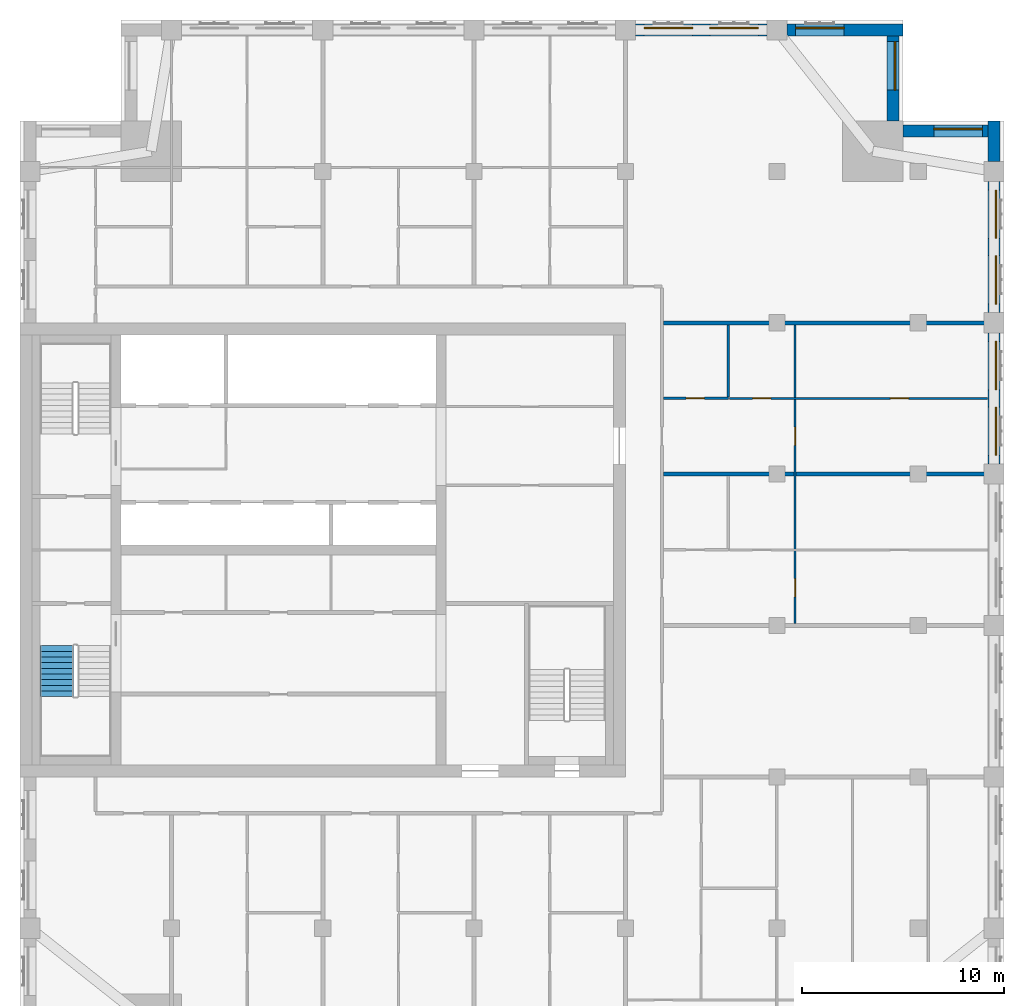
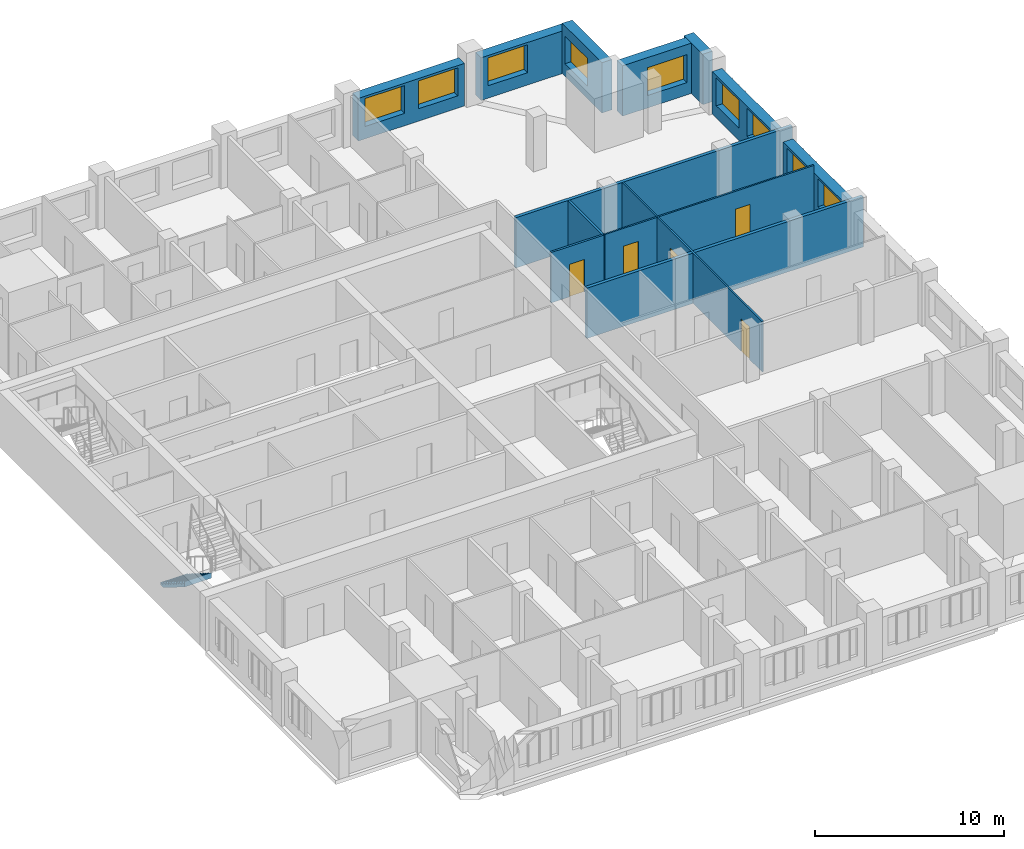
# One storey, part 8 of 11: 13 walls, 9 windows, 5 doors, 1 stair flight, 14 openings, 1 element without a shape of its own.
"""IFC4 building model written with IfcOpenShell, lengths in metres."""

from ifc_helpers import new_model, si_unit, direction, frame, frame_2d, origin, place, context, subcontext, project, spatial, polyline, rectangle, outline, extrude, material, layer, layer_set, type_object, element, fill, aggregate, save


model = new_model("IFC4")

# Units and contexts
model_context = context("Model", 3, precision=1e-05, world=origin(), true_north=direction((0.0, 1.0)))
body_context = subcontext(model_context, "Body", "Model", "MODEL_VIEW")
ifc_project = project(units=[si_unit("LENGTHUNIT", "METRE"), si_unit("AREAUNIT", "SQUARE_METRE"), si_unit("VOLUMEUNIT", "CUBIC_METRE"), si_unit("PLANEANGLEUNIT", "RADIAN"), si_unit("MASSUNIT", "GRAM", prefix="KILO")], contexts=[model_context])

# Site, building, storey
site_placement = place(None, origin())
site = spatial("IfcSite", under=ifc_project, at=site_placement, CompositionType="ELEMENT")
building_placement = place(site_placement, origin())
building = spatial("IfcBuilding", under=site, at=building_placement, Name="Tamorin Gate", CompositionType="ELEMENT")
storey_placement = place(building_placement, frame((0.0, 0.0, 226.699951171875)))
storey = spatial("IfcBuildingStorey", under=building, at=storey_placement, Name="L56", CompositionType="ELEMENT", Elevation=226.699951171875)

# Wall, openings, windows
ifc_material_1 = material(Name="Precast concrete C40/50", Category="concrete")
ifc_layer_1 = layer(ifc_material_1, 0.60009765625)
ifc_layer_set_1 = layer_set([ifc_layer_1], Name="Precast concrete C40/50")
wall_type_1 = type_object("IfcWallType", Name="Board-marked concrete facade panel 600", PredefinedType="SOLIDWALL", material=ifc_layer_set_1)
wall_1_placement = place(storey_placement, frame((78.25, 75.5, 0.0), z_axis=(0.0, 0.0, 1.0), x_axis=(0.0, 1.0, 0.0)))
wall_1 = element("IfcWall", 1, at=wall_1_placement, inside=storey, type_object=wall_type_1, Name="Facade panel", PredefinedType="SOLIDWALL", context=body_context, shape_type="SweptSolid", body=[
    extrude(rectangle(XDim=6.5, YDim=0.60009765625, at=frame_2d((3.25, 0.0))), origin(), (0.0, 0.0, 1.0), 2.75),
])
opening_1_placement = place(wall_1_placement, frame((0.425048828125, 0.0, 0.800048828125)))
opening_1 = element("IfcOpeningElement", 2, at=opening_1_placement, cuts=wall_1, Name="Opening WN1", PredefinedType="OPENING", context=body_context, shape_type="SweptSolid", body=[
    extrude(rectangle(XDim=2.39990234375, YDim=1.800048828125, at=frame_2d((1.199951171875, 0.89990234375))), frame((0.0, 0.31005859375, 0.0), z_axis=(0.0, -1.0, 0.0), x_axis=(1.0, 0.0, 0.0)), (0.0, 0.0, 1.0), 0.6201171875),
])
opening_2_placement = place(wall_1_placement, frame((3.675048828125, 0.0, 0.800048828125)))
opening_2 = element("IfcOpeningElement", 3, at=opening_2_placement, cuts=wall_1, Name="Opening WN1", PredefinedType="OPENING", context=body_context, shape_type="SweptSolid", body=[
    extrude(rectangle(XDim=2.39990234375, YDim=1.800048828125, at=frame_2d((1.199951171875, 0.89990234375))), frame((0.0, 0.31005859375, 0.0), z_axis=(0.0, -1.0, 0.0), x_axis=(1.0, 0.0, 0.0)), (0.0, 0.0, 1.0), 0.6201171875),
])
ifc_material_2 = material(Name="Clear glass in aluminium frame", Category="aluminium")
window_type = type_object("IfcWindowType", Name="Deep-set window 2400x1800", PartitioningType="SINGLE_PANEL", PredefinedType="WINDOW", material=ifc_material_2)
window_1_placement = place(opening_1_placement, origin())
window_1 = element("IfcWindow", 4, at=window_1_placement, inside=storey, type_object=window_type, Name="Deep-set window", OverallHeight=1.800048828125, OverallWidth=2.39990234375, PartitioningType="SINGLE_PANEL", PredefinedType="WINDOW", context=body_context, shape_type="SweptSolid", body=[
    extrude(rectangle(XDim=2.39990234375, YDim=1.800048828125, at=frame_2d((1.199951171875, 0.89990234375))), frame((0.0, -0.070068359375, 0.0), z_axis=(0.0, -1.0, 0.0), x_axis=(1.0, 0.0, 0.0)), (0.0, 0.0, 1.0), 0.06005859375),
])
fill(opening_1, window_1)
window_2_placement = place(opening_2_placement, origin())
window_2 = element("IfcWindow", 5, at=window_2_placement, inside=storey, type_object=window_type, Name="Deep-set window", OverallHeight=1.800048828125, OverallWidth=2.39990234375, PartitioningType="SINGLE_PANEL", PredefinedType="WINDOW", context=body_context, shape_type="SweptSolid", body=[
    extrude(rectangle(XDim=2.39990234375, YDim=1.800048828125, at=frame_2d((1.199951171875, 0.89990234375))), frame((0.0, -0.070068359375, 0.0), z_axis=(0.0, -1.0, 0.0), x_axis=(1.0, 0.0, 0.0)), (0.0, 0.0, 1.0), 0.06005859375),
])
fill(opening_2, window_2)

wall_2_placement = place(storey_placement, frame((78.25, 83.0, 0.0), z_axis=(0.0, 0.0, 1.0), x_axis=(0.0, 1.0, 0.0)))
wall_2 = element("IfcWall", 6, at=wall_2_placement, inside=storey, type_object=wall_type_1, Name="Facade panel", PredefinedType="SOLIDWALL", context=body_context, shape_type="SweptSolid", body=[
    extrude(rectangle(XDim=6.5, YDim=0.60009765625, at=frame_2d((3.25, 0.0))), origin(), (0.0, 0.0, 1.0), 2.75),
])
opening_3_placement = place(wall_2_placement, frame((0.425048828125, 0.0, 0.800048828125)))
opening_3 = element("IfcOpeningElement", 7, at=opening_3_placement, cuts=wall_2, Name="Opening WN1", PredefinedType="OPENING", context=body_context, shape_type="SweptSolid", body=[
    extrude(rectangle(XDim=2.39990234375, YDim=1.800048828125, at=frame_2d((1.199951171875, 0.89990234375))), frame((0.0, 0.31005859375, 0.0), z_axis=(0.0, -1.0, 0.0), x_axis=(1.0, 0.0, 0.0)), (0.0, 0.0, 1.0), 0.6201171875),
])
opening_4_placement = place(wall_2_placement, frame((3.675048828125, 0.0, 0.800048828125)))
opening_4 = element("IfcOpeningElement", 8, at=opening_4_placement, cuts=wall_2, Name="Opening WN1", PredefinedType="OPENING", context=body_context, shape_type="SweptSolid", body=[
    extrude(rectangle(XDim=2.39990234375, YDim=1.800048828125, at=frame_2d((1.199951171875, 0.89990234375))), frame((0.0, 0.31005859375, 0.0), z_axis=(0.0, -1.0, 0.0), x_axis=(1.0, 0.0, 0.0)), (0.0, 0.0, 1.0), 0.6201171875),
])
window_3_placement = place(opening_3_placement, origin())
window_3 = element("IfcWindow", 9, at=window_3_placement, inside=storey, type_object=window_type, Name="Deep-set window", OverallHeight=1.800048828125, OverallWidth=2.39990234375, PartitioningType="SINGLE_PANEL", PredefinedType="WINDOW", context=body_context, shape_type="SweptSolid", body=[
    extrude(rectangle(XDim=2.39990234375, YDim=1.800048828125, at=frame_2d((1.199951171875, 0.89990234375))), frame((0.0, -0.070068359375, 0.0), z_axis=(0.0, -1.0, 0.0), x_axis=(1.0, 0.0, 0.0)), (0.0, 0.0, 1.0), 0.06005859375),
])
fill(opening_3, window_3)
window_4_placement = place(opening_4_placement, origin())
window_4 = element("IfcWindow", 10, at=window_4_placement, inside=storey, type_object=window_type, Name="Deep-set window", OverallHeight=1.800048828125, OverallWidth=2.39990234375, PartitioningType="SINGLE_PANEL", PredefinedType="WINDOW", context=body_context, shape_type="SweptSolid", body=[
    extrude(rectangle(XDim=2.39990234375, YDim=1.800048828125, at=frame_2d((1.199951171875, 0.89990234375))), frame((0.0, -0.070068359375, 0.0), z_axis=(0.0, -1.0, 0.0), x_axis=(1.0, 0.0, 0.0)), (0.0, 0.0, 1.0), 0.06005859375),
])
fill(opening_4, window_4)

# Wall
wall_3_placement = place(storey_placement, frame((78.25, 90.5, 0.0), z_axis=(0.0, 0.0, 1.0), x_axis=(0.0, 1.0, 0.0)))
element("IfcWall", 11, at=wall_3_placement, inside=storey, type_object=wall_type_1, Name="Facade panel", PredefinedType="SOLIDWALL", context=body_context, shape_type="SweptSolid", body=[
    extrude(rectangle(XDim=2.0, YDim=0.60009765625, at=frame_2d((1.0, 0.0))), origin(), (0.0, 0.0, 1.0), 3.25),
])

# Wall, opening, window
wall_4_placement = place(storey_placement, frame((77.949951171875, 92.0, 0.0), z_axis=(0.0, 0.0, 1.0), x_axis=(-1.0, 0.0, 0.0)))
wall_4 = element("IfcWall", 12, at=wall_4_placement, inside=storey, type_object=wall_type_1, Name="Facade panel", PredefinedType="SOLIDWALL", context=body_context, shape_type="SweptSolid", body=[
    extrude(rectangle(XDim=4.199951171875, YDim=0.60009765625, at=frame_2d((2.10009765625, 0.0))), origin(), (0.0, 0.0, 1.0), 3.25),
])
opening_5_placement = place(wall_4_placement, frame((0.27490234375, 0.0, 0.800048828125)))
opening_5 = element("IfcOpeningElement", 13, at=opening_5_placement, cuts=wall_4, Name="Opening WN1", PredefinedType="OPENING", context=body_context, shape_type="SweptSolid", body=[
    extrude(rectangle(XDim=2.39990234375, YDim=1.800048828125, at=frame_2d((1.199951171875, 0.89990234375))), frame((0.0, 0.31005859375, 0.0), z_axis=(0.0, -1.0, 0.0), x_axis=(1.0, 0.0, 0.0)), (0.0, 0.0, 1.0), 0.6201171875),
])
window_5_placement = place(opening_5_placement, origin())
window_5 = element("IfcWindow", 14, at=window_5_placement, inside=storey, type_object=window_type, Name="Deep-set window", OverallHeight=1.800048828125, OverallWidth=2.39990234375, PartitioningType="SINGLE_PANEL", PredefinedType="WINDOW", context=body_context, shape_type="SweptSolid", body=[
    extrude(rectangle(XDim=2.39990234375, YDim=1.800048828125, at=frame_2d((1.199951171875, 0.89990234375))), frame((0.0, -0.070068359375, 0.0), z_axis=(0.0, -1.0, 0.0), x_axis=(1.0, 0.0, 0.0)), (0.0, 0.0, 1.0), 0.06005859375),
])
fill(opening_5, window_5)

wall_5_placement = place(storey_placement, frame((73.25, 92.5, 0.0), z_axis=(0.0, 0.0, 1.0), x_axis=(0.0, 1.0, 0.0)))
wall_5 = element("IfcWall", 15, at=wall_5_placement, inside=storey, type_object=wall_type_1, Name="Facade panel", PredefinedType="SOLIDWALL", context=body_context, shape_type="SweptSolid", body=[
    extrude(rectangle(XDim=4.199951171875, YDim=0.60009765625, at=frame_2d((2.10009765625, 0.0))), origin(), (0.0, 0.0, 1.0), 3.25),
])
opening_6_placement = place(wall_5_placement, frame((1.52490234375, 0.0, 0.800048828125)))
opening_6 = element("IfcOpeningElement", 16, at=opening_6_placement, cuts=wall_5, Name="Opening WN1", PredefinedType="OPENING", context=body_context, shape_type="SweptSolid", body=[
    extrude(rectangle(XDim=2.39990234375, YDim=1.800048828125, at=frame_2d((1.199951171875, 0.89990234375))), frame((0.0, 0.31005859375, 0.0), z_axis=(0.0, -1.0, 0.0), x_axis=(1.0, 0.0, 0.0)), (0.0, 0.0, 1.0), 0.6201171875),
])
window_6_placement = place(opening_6_placement, origin())
window_6 = element("IfcWindow", 17, at=window_6_placement, inside=storey, type_object=window_type, Name="Deep-set window", OverallHeight=1.800048828125, OverallWidth=2.39990234375, PartitioningType="SINGLE_PANEL", PredefinedType="WINDOW", context=body_context, shape_type="SweptSolid", body=[
    extrude(rectangle(XDim=2.39990234375, YDim=1.800048828125, at=frame_2d((1.199951171875, 0.89990234375))), frame((0.0, -0.070068359375, 0.0), z_axis=(0.0, -1.0, 0.0), x_axis=(1.0, 0.0, 0.0)), (0.0, 0.0, 1.0), 0.06005859375),
])
fill(opening_6, window_6)

wall_6_placement = place(storey_placement, frame((73.75, 97.0, 0.0), z_axis=(0.0, 0.0, 1.0), x_axis=(-1.0, 0.0, 0.0)))
wall_6 = element("IfcWall", 18, at=wall_6_placement, inside=storey, type_object=wall_type_1, Name="Facade panel", PredefinedType="SOLIDWALL", context=body_context, shape_type="SweptSolid", body=[
    extrude(rectangle(XDim=5.75, YDim=0.60009765625, at=frame_2d((2.875, 0.0))), origin(), (0.0, 0.0, 1.0), 2.75),
])
opening_7_placement = place(wall_6_placement, frame((2.925048828125, 0.0, 0.800048828125)))
opening_7 = element("IfcOpeningElement", 19, at=opening_7_placement, cuts=wall_6, Name="Opening WN1", PredefinedType="OPENING", context=body_context, shape_type="SweptSolid", body=[
    extrude(rectangle(XDim=2.39990234375, YDim=1.800048828125, at=frame_2d((1.199951171875, 0.89990234375))), frame((0.0, 0.31005859375, 0.0), z_axis=(0.0, -1.0, 0.0), x_axis=(1.0, 0.0, 0.0)), (0.0, 0.0, 1.0), 0.6201171875),
])
window_7_placement = place(opening_7_placement, origin())
window_7 = element("IfcWindow", 20, at=window_7_placement, inside=storey, type_object=window_type, Name="Deep-set window", OverallHeight=1.800048828125, OverallWidth=2.39990234375, PartitioningType="SINGLE_PANEL", PredefinedType="WINDOW", context=body_context, shape_type="SweptSolid", body=[
    extrude(rectangle(XDim=2.39990234375, YDim=1.800048828125, at=frame_2d((1.199951171875, 0.89990234375))), frame((0.0, -0.070068359375, 0.0), z_axis=(0.0, -1.0, 0.0), x_axis=(1.0, 0.0, 0.0)), (0.0, 0.0, 1.0), 0.06005859375),
])
fill(opening_7, window_7)

# Wall, openings, windows
wall_7_placement = place(storey_placement, frame((67.0, 97.0, 0.0), z_axis=(0.0, 0.0, 1.0), x_axis=(-1.0, 0.0, 0.0)))
wall_7 = element("IfcWall", 21, at=wall_7_placement, inside=storey, type_object=wall_type_1, Name="Facade panel", PredefinedType="SOLIDWALL", context=body_context, shape_type="SweptSolid", body=[
    extrude(rectangle(XDim=6.5, YDim=0.60009765625, at=frame_2d((3.25, 0.0))), origin(), (0.0, 0.0, 1.0), 2.75),
])
opening_8_placement = place(wall_7_placement, frame((3.675048828125, 0.0, 0.800048828125)))
opening_8 = element("IfcOpeningElement", 22, at=opening_8_placement, cuts=wall_7, Name="Opening WN1", PredefinedType="OPENING", context=body_context, shape_type="SweptSolid", body=[
    extrude(rectangle(XDim=2.39990234375, YDim=1.800048828125, at=frame_2d((1.199951171875, 0.89990234375))), frame((0.0, 0.31005859375, 0.0), z_axis=(0.0, -1.0, 0.0), x_axis=(1.0, 0.0, 0.0)), (0.0, 0.0, 1.0), 0.6201171875),
])
opening_9_placement = place(wall_7_placement, frame((0.425048828125, 0.0, 0.800048828125)))
opening_9 = element("IfcOpeningElement", 23, at=opening_9_placement, cuts=wall_7, Name="Opening WN1", PredefinedType="OPENING", context=body_context, shape_type="SweptSolid", body=[
    extrude(rectangle(XDim=2.39990234375, YDim=1.800048828125, at=frame_2d((1.199951171875, 0.89990234375))), frame((0.0, 0.31005859375, 0.0), z_axis=(0.0, -1.0, 0.0), x_axis=(1.0, 0.0, 0.0)), (0.0, 0.0, 1.0), 0.6201171875),
])
window_8_placement = place(opening_8_placement, origin())
window_8 = element("IfcWindow", 24, at=window_8_placement, inside=storey, type_object=window_type, Name="Deep-set window", OverallHeight=1.800048828125, OverallWidth=2.39990234375, PartitioningType="SINGLE_PANEL", PredefinedType="WINDOW", context=body_context, shape_type="SweptSolid", body=[
    extrude(rectangle(XDim=2.39990234375, YDim=1.800048828125, at=frame_2d((1.199951171875, 0.89990234375))), frame((0.0, -0.070068359375, 0.0), z_axis=(0.0, -1.0, 0.0), x_axis=(1.0, 0.0, 0.0)), (0.0, 0.0, 1.0), 0.06005859375),
])
fill(opening_8, window_8)
window_9_placement = place(opening_9_placement, origin())
window_9 = element("IfcWindow", 25, at=window_9_placement, inside=storey, type_object=window_type, Name="Deep-set window", OverallHeight=1.800048828125, OverallWidth=2.39990234375, PartitioningType="SINGLE_PANEL", PredefinedType="WINDOW", context=body_context, shape_type="SweptSolid", body=[
    extrude(rectangle(XDim=2.39990234375, YDim=1.800048828125, at=frame_2d((1.199951171875, 0.89990234375))), frame((0.0, -0.070068359375, 0.0), z_axis=(0.0, -1.0, 0.0), x_axis=(1.0, 0.0, 0.0)), (0.0, 0.0, 1.0), 0.06005859375),
])
fill(opening_9, window_9)

# Walls
ifc_material_3 = material(Name="Gypsum board partition")
ifc_layer_2 = layer(ifc_material_3, 0.199951171875)
ifc_layer_set_2 = layer_set([ifc_layer_2], Name="Demising wall 200")
wall_type_2 = type_object("IfcWallType", Name="Demising wall 200", PredefinedType="PARTITIONING", material=ifc_layer_set_2)
for number, where, z_axis, x_axis, name in (
    (26, (61.875, 75.0, 0.0), (0.0, 0.0, 1.0), (1.0, 0.0, 0.0), "Demising wall 200"),
    (27, (61.875, 82.5, 0.0), (0.0, 0.0, 1.0), (1.0, 0.0, 0.0), "Demising wall 200"),
):
    element("IfcWall", number, at=place(storey_placement, frame(where, z_axis=z_axis, x_axis=x_axis)), inside=storey, type_object=wall_type_2, Name=name, PredefinedType="PARTITIONING", context=body_context, shape_type="SweptSolid", body=[
        extrude(rectangle(XDim=16.875, YDim=0.199951171875, at=frame_2d((8.4375, 0.0))), origin(), (0.0, 0.0, 1.0), 3.25),
    ])

# Wall, openings, doors
ifc_layer_3 = layer(ifc_material_3, 0.10009765625)
ifc_layer_set_3 = layer_set([ifc_layer_3], Name="Room partition 100")
wall_type_3 = type_object("IfcWallType", Name="Room partition 100", PredefinedType="PARTITIONING", material=ifc_layer_set_3)
wall_8_placement = place(storey_placement, frame((65.16259765625, 78.75, 0.0), z_axis=(0.0, 0.0, 1.0), x_axis=(1.0, 0.0, 0.0)))
wall_8 = element("IfcWall", 28, at=wall_8_placement, inside=storey, type_object=wall_type_3, Name="Room partition 100", PredefinedType="PARTITIONING", context=body_context, shape_type="SweptSolid", body=[
    extrude(rectangle(XDim=12.77734375, YDim=0.10009765625, at=frame_2d((6.388671875, 0.0))), origin(), (0.0, 0.0, 1.0), 3.25),
])
opening_10_placement = place(wall_8_placement, frame((1.137451171875, 0.0, 0.0)))
opening_10 = element("IfcOpeningElement", 29, at=opening_10_placement, cuts=wall_8, Name="Opening DR6052", PredefinedType="OPENING", context=body_context, shape_type="SweptSolid", body=[
    extrude(rectangle(XDim=0.89990234375, YDim=2.10009765625, at=frame_2d((0.449951171875, 1.050048828125))), frame((0.0, 0.06005859375, 0.0), z_axis=(0.0, -1.0, 0.0), x_axis=(1.0, 0.0, 0.0)), (0.0, 0.0, 1.0), 0.1201171875),
])
opening_11_placement = place(wall_8_placement, frame((7.96240234375, 0.0, 0.0)))
opening_11 = element("IfcOpeningElement", 30, at=opening_11_placement, cuts=wall_8, Name="Opening DR6054", PredefinedType="OPENING", context=body_context, shape_type="SweptSolid", body=[
    extrude(rectangle(XDim=0.89990234375, YDim=2.10009765625, at=frame_2d((0.449951171875, 1.050048828125))), frame((0.0, 0.06005859375, 0.0), z_axis=(0.0, -1.0, 0.0), x_axis=(1.0, 0.0, 0.0)), (0.0, 0.0, 1.0), 0.1201171875),
])
ifc_material_4 = material(Name="Timber door leaf", Category="wood")
door_type = type_object("IfcDoorType", Name="Door 900 x 2100", OperationType="NOTDEFINED", PredefinedType="DOOR", material=ifc_material_4)
door_1_placement = place(opening_10_placement, origin())
door_1 = element("IfcDoor", 31, at=door_1_placement, inside=storey, type_object=door_type, Name="Door DR6052", OperationType="SINGLE_SWING_LEFT", OverallHeight=2.10009765625, OverallWidth=0.89990234375, PredefinedType="DOOR", context=body_context, shape_type="SweptSolid", body=[
    extrude(rectangle(XDim=0.89990234375, YDim=2.10009765625, at=frame_2d((0.449951171875, 1.050048828125))), frame((0.0, 0.02490234375, 0.0), z_axis=(0.0, -1.0, 0.0), x_axis=(1.0, 0.0, 0.0)), (0.0, 0.0, 1.0), 0.050048828125),
])
fill(opening_10, door_1)
door_2_placement = place(opening_11_placement, origin())
door_2 = element("IfcDoor", 32, at=door_2_placement, inside=storey, type_object=door_type, Name="Door DR6054", OperationType="SINGLE_SWING_LEFT", OverallHeight=2.10009765625, OverallWidth=0.89990234375, PredefinedType="DOOR", context=body_context, shape_type="SweptSolid", body=[
    extrude(rectangle(XDim=0.89990234375, YDim=2.10009765625, at=frame_2d((0.449951171875, 1.050048828125))), frame((0.0, 0.02490234375, 0.0), z_axis=(0.0, -1.0, 0.0), x_axis=(1.0, 0.0, 0.0)), (0.0, 0.0, 1.0), 0.050048828125),
])
fill(opening_11, door_2)

wall_9_placement = place(storey_placement, frame((68.39990234375, 67.60009765625, 0.0), z_axis=(0.0, 0.0, 1.0), x_axis=(0.0, 1.0, 0.0)))
wall_9 = element("IfcWall", 33, at=wall_9_placement, inside=storey, type_object=wall_type_3, Name="Room partition 100", PredefinedType="PARTITIONING", context=body_context, shape_type="SweptSolid", body=[
    extrude(rectangle(XDim=14.7998046875, YDim=0.10009765625, at=frame_2d((7.39990234375, 0.0))), origin(), (0.0, 0.0, 1.0), 3.25),
])
opening_12_placement = place(wall_9_placement, frame((1.324951171875, 0.0, 0.0)))
opening_12 = element("IfcOpeningElement", 34, at=opening_12_placement, cuts=wall_9, Name="Opening DR6046", PredefinedType="OPENING", context=body_context, shape_type="SweptSolid", body=[
    extrude(rectangle(XDim=0.89990234375, YDim=2.10009765625, at=frame_2d((0.449951171875, 1.050048828125))), frame((0.0, 0.06005859375, 0.0), z_axis=(0.0, -1.0, 0.0), x_axis=(1.0, 0.0, 0.0)), (0.0, 0.0, 1.0), 0.1201171875),
])
opening_13_placement = place(wall_9_placement, frame((8.824951171875, 0.0, 0.0)))
opening_13 = element("IfcOpeningElement", 35, at=opening_13_placement, cuts=wall_9, Name="Opening DR6051", PredefinedType="OPENING", context=body_context, shape_type="SweptSolid", body=[
    extrude(rectangle(XDim=0.89990234375, YDim=2.10009765625, at=frame_2d((0.449951171875, 1.050048828125))), frame((0.0, 0.06005859375, 0.0), z_axis=(0.0, -1.0, 0.0), x_axis=(1.0, 0.0, 0.0)), (0.0, 0.0, 1.0), 0.1201171875),
])
door_3_placement = place(opening_12_placement, origin())
door_3 = element("IfcDoor", 36, at=door_3_placement, inside=storey, type_object=door_type, Name="Door DR6046", OperationType="SINGLE_SWING_LEFT", OverallHeight=2.10009765625, OverallWidth=0.89990234375, PredefinedType="DOOR", context=body_context, shape_type="SweptSolid", body=[
    extrude(rectangle(XDim=0.89990234375, YDim=2.10009765625, at=frame_2d((0.449951171875, 1.050048828125))), frame((0.0, 0.02490234375, 0.0), z_axis=(0.0, -1.0, 0.0), x_axis=(1.0, 0.0, 0.0)), (0.0, 0.0, 1.0), 0.050048828125),
])
fill(opening_12, door_3)
door_4_placement = place(opening_13_placement, origin())
door_4 = element("IfcDoor", 37, at=door_4_placement, inside=storey, type_object=door_type, Name="Door DR6051", OperationType="SINGLE_SWING_LEFT", OverallHeight=2.10009765625, OverallWidth=0.89990234375, PredefinedType="DOOR", context=body_context, shape_type="SweptSolid", body=[
    extrude(rectangle(XDim=0.89990234375, YDim=2.10009765625, at=frame_2d((0.449951171875, 1.050048828125))), frame((0.0, 0.02490234375, 0.0), z_axis=(0.0, -1.0, 0.0), x_axis=(1.0, 0.0, 0.0)), (0.0, 0.0, 1.0), 0.050048828125),
])
fill(opening_13, door_4)

# Wall, opening, door
ifc_layer_4 = layer(ifc_material_3, 0.125)
ifc_layer_set_4 = layer_set([ifc_layer_4], Name="Wet wall 125")
wall_type_4 = type_object("IfcWallType", Name="Wet wall 125", PredefinedType="PARTITIONING", material=ifc_layer_set_4)
wall_10_placement = place(storey_placement, frame((61.875, 78.75, 0.0), z_axis=(0.0, 0.0, 1.0), x_axis=(1.0, 0.0, 0.0)))
wall_10 = element("IfcWall", 38, at=wall_10_placement, inside=storey, type_object=wall_type_4, Name="Wet wall 125", PredefinedType="PARTITIONING", context=body_context, shape_type="SweptSolid", body=[
    extrude(rectangle(XDim=3.22509765625, YDim=0.125, at=frame_2d((1.612548828125, 0.0))), origin(), (0.0, 0.0, 1.0), 3.25),
])
opening_14_placement = place(wall_10_placement, frame((1.125, 0.0, 0.0)))
opening_14 = element("IfcOpeningElement", 39, at=opening_14_placement, cuts=wall_10, Name="Opening DR6053", PredefinedType="OPENING", context=body_context, shape_type="SweptSolid", body=[
    extrude(rectangle(XDim=0.89990234375, YDim=2.10009765625, at=frame_2d((0.449951171875, 1.050048828125))), frame((0.0, 0.072509765625, 0.0), z_axis=(0.0, -1.0, 0.0), x_axis=(1.0, 0.0, 0.0)), (0.0, 0.0, 1.0), 0.14501953125),
])
door_5_placement = place(opening_14_placement, origin())
door_5 = element("IfcDoor", 40, at=door_5_placement, inside=storey, type_object=door_type, Name="Door DR6053", OperationType="SINGLE_SWING_RIGHT", OverallHeight=2.10009765625, OverallWidth=0.89990234375, PredefinedType="DOOR", context=body_context, shape_type="SweptSolid", body=[
    extrude(rectangle(XDim=0.89990234375, YDim=2.10009765625, at=frame_2d((0.449951171875, 1.050048828125))), frame((0.0, 0.02490234375, 0.0), z_axis=(0.0, -1.0, 0.0), x_axis=(1.0, 0.0, 0.0)), (0.0, 0.0, 1.0), 0.050048828125),
])
fill(opening_14, door_5)

# Wall
wall_11_placement = place(storey_placement, frame((65.10009765625, 78.8125, 0.0), z_axis=(0.0, 0.0, 1.0), x_axis=(0.0, 1.0, 0.0)))
element("IfcWall", 41, at=wall_11_placement, inside=storey, type_object=wall_type_4, Name="Wet wall 125", PredefinedType="PARTITIONING", context=body_context, shape_type="SweptSolid", body=[
    extrude(rectangle(XDim=3.58740234375, YDim=0.125, at=frame_2d((1.793701171875, 0.0))), origin(), (0.0, 0.0, 1.0), 3.25),
])

# Stair, stair flight
ifc_material_5 = material(Name="Concrete C40/50", Category="concrete")
stair_type = type_object("IfcStairType", Name="Exit stair", PredefinedType="HALF_TURN_STAIR", material=ifc_material_5)
stair_placement = place(storey_placement, origin())
stair = element("IfcStair", 42, at=stair_placement, inside=storey, type_object=stair_type, Name="L56 stair ST1", PredefinedType="HALF_TURN_STAIR")
stair_flight_type = type_object("IfcStairFlightType", Name="Exit stair flight", PredefinedType="STRAIGHT", material=ifc_material_5)
stair_flight_placement = place(storey_placement, frame((31.824951171875, 66.5, 0.0), z_axis=(0.0, 0.0, 1.0), x_axis=(0.0, -1.0, 0.0)))
stair_flight = element("IfcStairFlight", 43, at=stair_flight_placement, type_object=stair_flight_type, Name="ST1 flight 1", NumberOfRisers=10, NumberOfTreads=9, PredefinedType="STRAIGHT", RiserHeight=0.175, TreadLength=0.28, context=body_context, shape_type="SweptSolid", body=[
    extrude(outline(polyline([(-0.00048828125, 0.0), (-0.00048828125, 0.001708984375), (-0.00048828125, 0.00341796875), (-0.00048828125, 0.005126953125), (-0.00048828125, 0.0068359375), (-0.00048828125, 0.008544921875), (-0.00048828125, 0.010498046875), (-0.00048828125, 0.01220703125), (-0.00048828125, 0.013916015625), (-0.00048828125, 0.015625), (-0.00048828125, 0.017333984375), (-0.00048828125, 0.01904296875), (-0.00048828125, 0.020751953125), (-0.00048828125, 0.0224609375), (-0.00048828125, 0.024169921875), (-0.00048828125, 0.02587890625), (-0.00048828125, 0.02783203125), (-0.00048828125, 0.029541015625), (-0.00048828125, 0.03125), (-0.00048828125, 0.032958984375), (-0.00048828125, 0.03466796875), (-0.00048828125, 0.036376953125), (-0.00048828125, 0.0380859375), (-0.00048828125, 0.039794921875), (-0.00048828125, 0.04150390625), (-0.00048828125, 0.043212890625), (-0.00048828125, 0.045166015625), (-0.00048828125, 0.046875), (-0.00048828125, 0.048583984375), (-0.00048828125, 0.05029296875), (-0.00048828125, 0.052001953125), (-0.00048828125, 0.0537109375), (-0.00048828125, 0.055419921875), (-0.00048828125, 0.05712890625), (-0.00048828125, 0.058837890625), (-0.00048828125, 0.060546875), (-0.00048828125, 0.062255859375), (-0.00048828125, 0.064208984375), (-0.00048828125, 0.06591796875), (-0.00048828125, 0.067626953125), (-0.00048828125, 0.0693359375), (-0.00048828125, 0.071044921875), (-0.00048828125, 0.07275390625), (-0.00048828125, 0.074462890625), (-0.00048828125, 0.076171875), (-0.00048828125, 0.077880859375), (-0.00048828125, 0.07958984375), (-0.00048828125, 0.08154296875), (-0.00048828125, 0.083251953125), (-0.00048828125, 0.0849609375), (-0.00048828125, 0.086669921875), (-0.00048828125, 0.08837890625), (-0.00048828125, 0.090087890625), (-0.00048828125, 0.091796875), (-0.00048828125, 0.093505859375), (-0.00048828125, 0.09521484375), (-0.00048828125, 0.096923828125), (-0.00048828125, 0.098876953125), (-0.00048828125, 0.1005859375), (-0.00048828125, 0.102294921875), (-0.00048828125, 0.10400390625), (-0.00048828125, 0.105712890625), (-0.00048828125, 0.107421875), (-0.00048828125, 0.109130859375), (-0.00048828125, 0.11083984375), (-0.00048828125, 0.112548828125), (-0.00048828125, 0.1142578125), (-0.00048828125, 0.1162109375), (-0.00048828125, 0.117919921875), (-0.00048828125, 0.11962890625), (-0.00048828125, 0.121337890625), (-0.00048828125, 0.123046875), (-0.00048828125, 0.124755859375), (-0.00048828125, 0.12646484375), (-0.00048828125, 0.128173828125), (-0.00048828125, 0.1298828125), (-0.00048828125, 0.131591796875), (-0.00048828125, 0.13330078125), (-0.00048828125, 0.13525390625), (-0.00048828125, 0.136962890625), (-0.00048828125, 0.138671875), (-0.00048828125, 0.140380859375), (-0.00048828125, 0.14208984375), (-0.00048828125, 0.143798828125), (-0.00048828125, 0.1455078125), (-0.00048828125, 0.147216796875), (-0.00048828125, 0.14892578125), (-0.00048828125, 0.150634765625), (-0.00048828125, 0.152587890625), (-0.00048828125, 0.154296875), (-0.00048828125, 0.156005859375), (-0.00048828125, 0.15771484375), (-0.00048828125, 0.159423828125), (-0.00048828125, 0.1611328125), (-0.00048828125, 0.162841796875), (-0.00048828125, 0.16455078125), (-0.00048828125, 0.166259765625), (-0.00048828125, 0.16796875), (-0.00048828125, 0.169921875), (-0.00048828125, 0.171630859375), (-0.00048828125, 0.17333984375), (-0.00048828125, 0.175048828125), (0.280029296875, 0.175048828125), (0.280029296875, 0.35009765625), (0.56005859375, 0.35009765625), (0.56005859375, 0.52490234375), (0.840087890625, 0.52490234375), (0.840087890625, 0.699951171875), (1.1201171875, 0.699951171875), (1.1201171875, 0.875), (1.39990234375, 0.875), (1.39990234375, 1.050048828125), (1.679931640625, 1.050048828125), (1.679931640625, 1.22509765625), (1.9599609375, 1.22509765625), (1.9599609375, 1.39990234375), (2.239990234375, 1.39990234375), (2.239990234375, 1.574951171875), (2.52001953125, 1.574951171875), (2.52001953125, 1.75), (2.5205078125, 1.75), (2.5205078125, 1.74658203125), (2.5205078125, 1.742919921875), (2.5205078125, 1.739501953125), (2.5205078125, 1.736083984375), (2.5205078125, 1.732666015625), (2.5205078125, 1.72900390625), (2.5205078125, 1.7255859375), (2.5205078125, 1.72216796875), (2.5205078125, 1.71875), (2.5205078125, 1.715087890625), (2.5205078125, 1.711669921875), (2.5205078125, 1.708251953125), (2.5205078125, 1.704833984375), (2.5205078125, 1.701171875), (2.5205078125, 1.69775390625), (2.5205078125, 1.6943359375), (2.5205078125, 1.690673828125), (2.5205078125, 1.687255859375), (2.5205078125, 1.683837890625), (2.5205078125, 1.680419921875), (2.5205078125, 1.6767578125), (2.5205078125, 1.67333984375), (2.5205078125, 1.669921875), (2.5205078125, 1.66650390625), (2.5205078125, 1.662841796875), (2.5205078125, 1.659423828125), (2.5205078125, 1.656005859375), (2.5205078125, 1.652587890625), (2.5205078125, 1.64892578125), (2.5205078125, 1.6455078125), (2.5205078125, 1.64208984375), (2.5205078125, 1.638427734375), (2.5205078125, 1.635009765625), (2.5205078125, 1.631591796875), (2.5205078125, 1.628173828125), (2.5205078125, 1.62451171875), (2.5205078125, 1.62109375), (2.5205078125, 1.61767578125), (2.5205078125, 1.6142578125), (2.5205078125, 1.610595703125), (2.5205078125, 1.607177734375), (2.5205078125, 1.603759765625), (2.5205078125, 1.600341796875), (2.5205078125, 1.5966796875), (2.5205078125, 1.59326171875), (2.5205078125, 1.58984375), (2.5205078125, 1.58642578125), (2.5205078125, 1.582763671875), (2.5205078125, 1.579345703125), (2.5205078125, 1.575927734375), (2.5205078125, 1.572265625), (2.5205078125, 1.56884765625), (2.5205078125, 1.5654296875), (2.5205078125, 1.56201171875), (2.5205078125, 1.558349609375), (2.5205078125, 1.554931640625), (2.5205078125, 1.551513671875), (2.5205078125, 1.548095703125), (2.5205078125, 1.54443359375), (2.5205078125, 1.541015625), (2.5205078125, 1.53759765625), (2.5205078125, 1.5341796875), (2.5205078125, 1.530517578125), (2.5205078125, 1.527099609375), (2.5205078125, 1.523681640625), (2.5205078125, 1.52001953125), (2.5205078125, 1.5166015625), (2.5205078125, 1.51318359375), (2.5205078125, 1.509765625), (2.5205078125, 1.506103515625), (2.5205078125, 1.502685546875), (2.5205078125, 1.499267578125), (2.5205078125, 1.495849609375), (2.5205078125, 1.4921875), (2.5205078125, 1.48876953125), (2.5205078125, 1.4853515625), (2.5205078125, 1.48193359375), (2.5205078125, 1.478271484375), (2.5205078125, 1.474853515625), (2.5205078125, 1.471435546875), (2.5205078125, 1.4677734375), (2.5205078125, 1.46435546875), (2.5205078125, 1.4609375), (2.5205078125, 1.45751953125), (2.5205078125, 1.453857421875), (2.5205078125, 1.450439453125), (2.5205078125, 1.447021484375), (2.5205078125, 1.443603515625), (2.5205078125, 1.43994140625), (2.5205078125, 1.4365234375), (2.5205078125, 1.43310546875), (2.5205078125, 1.4296875), (2.5205078125, 1.426025390625), (2.5205078125, 1.422607421875), (2.5205078125, 1.419189453125), (2.5205078125, 1.41552734375), (2.5205078125, 1.412109375), (2.5205078125, 1.40869140625), (2.5205078125, 1.4052734375), (2.5205078125, 1.401611328125), (2.5205078125, 1.398193359375), (2.52001953125, 1.398193359375), (0.28271484375, 0.0), (-0.00048828125, 0.0)])), frame((0.0, 0.824951171875, 0.0), z_axis=(0.0, -1.0, 0.0), x_axis=(1.0, 0.0, 0.0)), (0.0, 0.0, 1.0), 1.64990234375),
])
aggregate(stair, [stair_flight])

save(model, "model.ifc")
